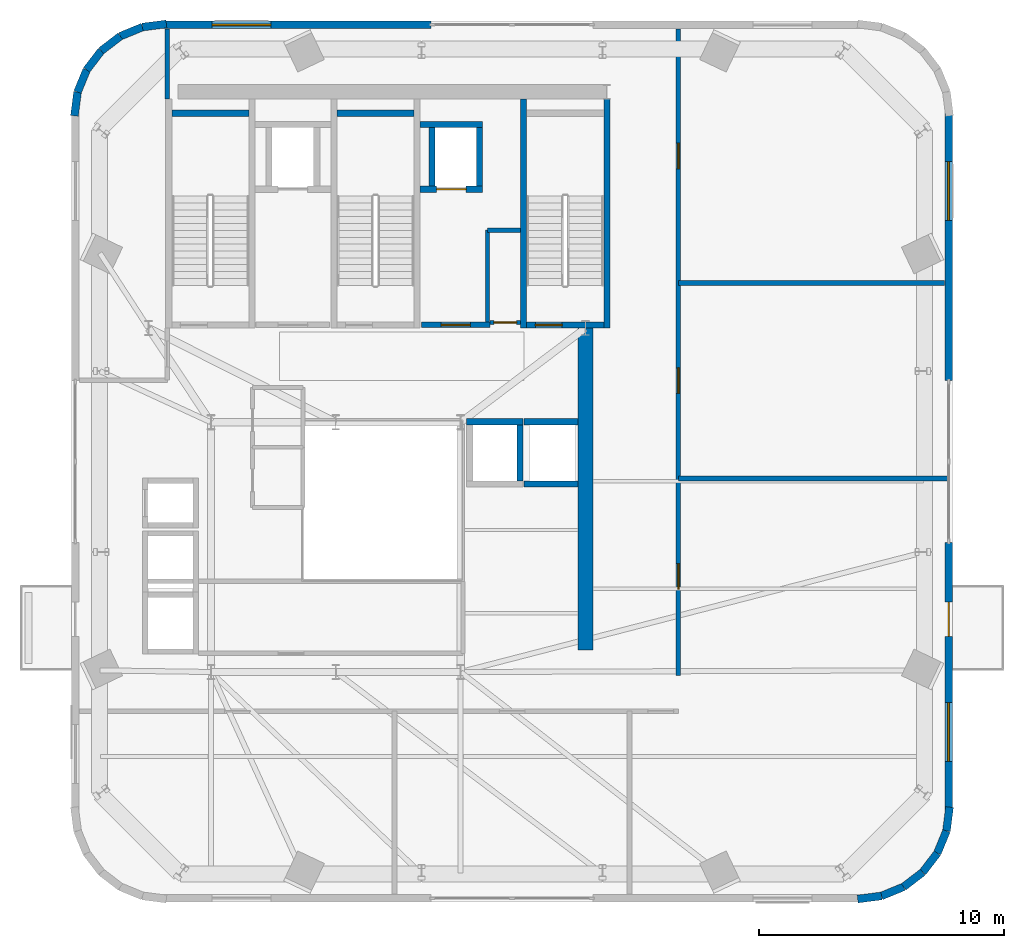
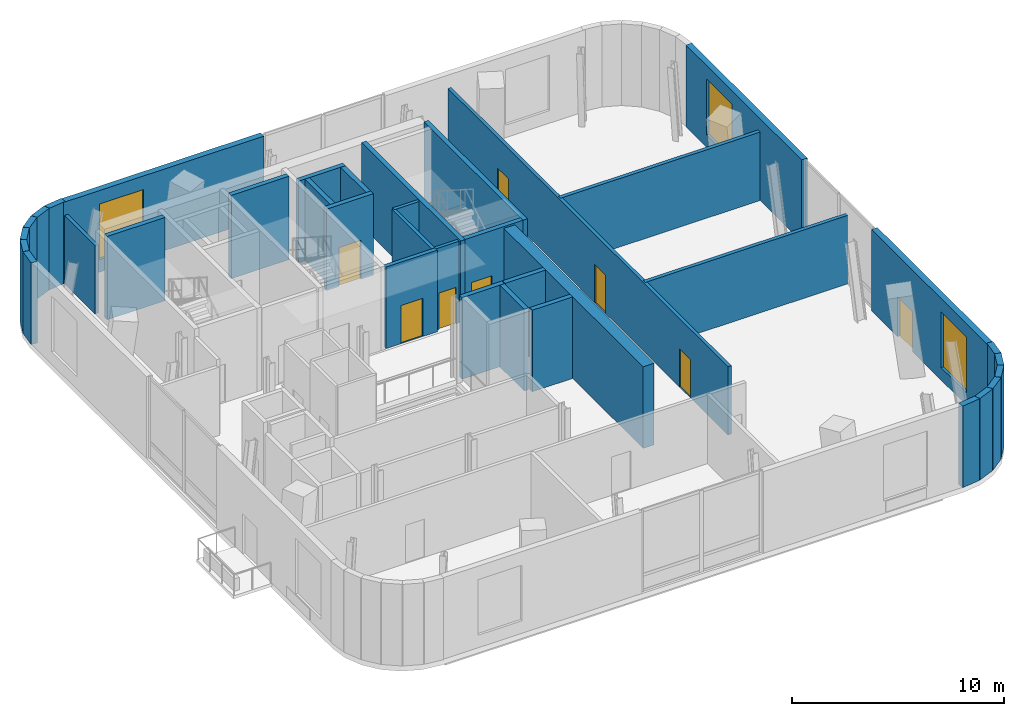
# One storey, part 7 of 11: 37 walls, 8 doors, 3 windows, 11 openings.
"""IFC4 building model written with IfcOpenShell, lengths in metres."""

from ifc_helpers import new_model, si_unit, direction, frame, frame_2d, origin, place, context, subcontext, project, spatial, rectangle, extrude, source, transform, mapped, material, layer, layer_set, type_object, element, fill, save


model = new_model("IFC4")

# Units and contexts
model_context = context("Model", 3, precision=1e-05, world=origin(), true_north=direction((0.0, 1.0)))
body_context = subcontext(model_context, "Body", "Model", "MODEL_VIEW")
ifc_project = project(units=[si_unit("LENGTHUNIT", "METRE"), si_unit("AREAUNIT", "SQUARE_METRE"), si_unit("VOLUMEUNIT", "CUBIC_METRE"), si_unit("PLANEANGLEUNIT", "RADIAN"), si_unit("MASSUNIT", "GRAM", prefix="KILO")], contexts=[model_context])

# Site, building, storey
site_placement = place(None, origin())
site = spatial("IfcSite", under=ifc_project, at=site_placement, CompositionType="ELEMENT")
building_placement = place(site_placement, origin())
building = spatial("IfcBuilding", under=site, at=building_placement, Name="Vardaveli Station Tower", CompositionType="ELEMENT")
storey_placement = place(building_placement, frame((0.0, 0.0, 296.14990234375)))
storey = spatial("IfcBuildingStorey", under=building, at=storey_placement, Name="L75", CompositionType="ELEMENT", Elevation=296.14990234375)

# Wall
ifc_material_1 = material(Name="Concrete C50/60", Category="concrete")
ifc_layer_1 = layer(ifc_material_1, 0.60009765625, Name="Concrete C50/60")
ifc_layer_set_1 = layer_set([ifc_layer_1], Name="Concrete C50/60")
wall_type_1 = type_object("IfcWallType", Name="WAL-CORE-600", PredefinedType="SHEAR", material=ifc_layer_set_1)
shared_shape_1 = source(origin(), body_context, "Body", "SweptSolid", [
    extrude(rectangle(XDim=13.14990234375, YDim=0.60009765625, at=frame_2d((6.574951171875, 0.0))), origin(), (0.0, 0.0, 1.0), 4.7001953125),
])
wall_1_placement = place(storey_placement, frame((46.5, 17.5, 0.0), z_axis=(0.0, 0.0, 1.0), x_axis=(0.0, 1.0, 0.0)))
element("IfcWall", 1, at=wall_1_placement, inside=storey, type_object=wall_type_1, Name="SW-L75-EAST2", PredefinedType="SHEAR", context=body_context, shape_type="MappedRepresentation", body=[
    mapped(shared_shape_1, transform((0.0, 0.0, 0.0), scale=1.0)),
])

# Wall, opening, window
ifc_material_2 = material(Name="Precast concrete C45/55", Category="concrete")
ifc_layer_2 = layer(ifc_material_2, 0.320068359375, Name="Precast concrete C45/55")
ifc_layer_set_2 = layer_set([ifc_layer_2], Name="Precast concrete C45/55")
wall_type_2 = type_object("IfcWallType", Name="WAL-EXT-STONE-320", PredefinedType="SOLIDWALL", material=ifc_layer_set_2)
shared_shape_2 = source(origin(), body_context, "Body", "SweptSolid", [
    extrude(rectangle(XDim=10.919921875, YDim=0.320068359375, at=frame_2d((5.4599609375, 0.0))), origin(), (0.0, 0.0, 1.0), 4.7001953125),
])
wall_2_placement = place(storey_placement, frame((40.199951171875, 43.0400390625, 0.0), z_axis=(0.0, 0.0, 1.0), x_axis=(-1.0, 0.0, 0.0)))
wall_2 = element("IfcWall", 2, at=wall_2_placement, inside=storey, type_object=wall_type_2, Name="EW-L75-N2", PredefinedType="SOLIDWALL", context=body_context, shape_type="MappedRepresentation", body=[
    mapped(shared_shape_2, transform((0.0, 0.0, 0.0), scale=1.0)),
])
shared_shape_3 = source(origin(), body_context, "Body", "SweptSolid", [
    extrude(rectangle(XDim=2.39990234375, YDim=3.199951171875, at=frame_2d((1.199951171875, 1.60009765625))), frame((0.0, 0.169921875, 0.0), z_axis=(0.0, -1.0, 0.0), x_axis=(1.0, 0.0, 0.0)), (0.0, 0.0, 1.0), 0.340087890625),
])
opening_1_placement = place(wall_2_placement, frame((6.551025390625, 0.0, 0.719970703125)))
opening_1 = element("IfcOpeningElement", 3, at=opening_1_placement, cuts=wall_2, Name="Opening W-06", PredefinedType="OPENING", context=body_context, shape_type="MappedRepresentation", body=[
    mapped(shared_shape_3, transform((0.0, 0.0, 0.0), scale=1.0)),
])
ifc_material_3 = material(Name="Low-iron tempered belvedere glass", Category="glass")
window_type = type_object("IfcWindowType", Name="WIN-OBS-2400x3200", PartitioningType="SINGLE_PANEL", PredefinedType="WINDOW", material=ifc_material_3)
shared_shape_4 = source(origin(), body_context, "Body", "SweptSolid", [
    extrude(rectangle(XDim=2.39990234375, YDim=3.199951171875, at=frame_2d((1.199951171875, 1.60009765625))), frame((0.0, 0.030029296875, 0.0), z_axis=(0.0, -1.0, 0.0), x_axis=(1.0, 0.0, 0.0)), (0.0, 0.0, 1.0), 0.06005859375),
])
window_1_placement = place(opening_1_placement, origin())
window_1 = element("IfcWindow", 4, at=window_1_placement, inside=storey, type_object=window_type, Name="WN-L75-N2", OverallHeight=3.199951171875, OverallWidth=2.39990234375, PartitioningType="SINGLE_PANEL", PredefinedType="WINDOW", context=body_context, shape_type="MappedRepresentation", body=[
    mapped(shared_shape_4, transform((0.0, 0.0, 0.0), scale=1.0)),
])
fill(opening_1, window_1)

# Wall, openings, door, window
wall_3_placement = place(storey_placement, frame((61.340087890625, 10.97998046875, 0.0), z_axis=(0.0, 0.0, 1.0), x_axis=(0.0, 1.0, 0.0)))
wall_3 = element("IfcWall", 5, at=wall_3_placement, inside=storey, type_object=wall_type_2, Name="EW-L75-E1", PredefinedType="SOLIDWALL", context=body_context, shape_type="MappedRepresentation", body=[
    mapped(shared_shape_2, transform((0.0, 0.0, 0.0), scale=1.0)),
])
shared_shape_5 = source(origin(), body_context, "Body", "SweptSolid", [
    extrude(rectangle(XDim=1.39990234375, YDim=2.300048828125, at=frame_2d((0.699951171875, 1.14990234375))), frame((0.0, 0.169921875, 0.0), z_axis=(0.0, -1.0, 0.0), x_axis=(1.0, 0.0, 0.0)), (0.0, 0.0, 1.0), 0.340087890625),
])
opening_2_placement = place(wall_3_placement, frame((7.077392578125, 0.0, 0.0)))
opening_2 = element("IfcOpeningElement", 6, at=opening_2_placement, cuts=wall_3, Name="Opening D-09", PredefinedType="OPENING", context=body_context, shape_type="MappedRepresentation", body=[
    mapped(shared_shape_5, transform((0.0, 0.0, 0.0), scale=1.0)),
])
opening_3_placement = place(wall_3_placement, frame((1.968994140625, 0.0, 0.719970703125)))
opening_3 = element("IfcOpeningElement", 7, at=opening_3_placement, cuts=wall_3, Name="Opening W-06", PredefinedType="OPENING", context=body_context, shape_type="MappedRepresentation", body=[
    mapped(shared_shape_3, transform((0.0, 0.0, 0.0), scale=1.0)),
])
ifc_material_4 = material(Name="Thermally broken aluminium glass", Category="aluminium")
door_type_1 = type_object("IfcDoorType", Name="DR-LOG-1400x2300", OperationType="DOUBLE_DOOR_SLIDING", PredefinedType="DOOR", material=ifc_material_4)
shared_shape_6 = source(origin(), body_context, "Body", "SweptSolid", [
    extrude(rectangle(XDim=1.39990234375, YDim=2.300048828125, at=frame_2d((0.699951171875, 1.14990234375))), frame((0.0, 0.02490234375, 0.0), z_axis=(0.0, -1.0, 0.0), x_axis=(1.0, 0.0, 0.0)), (0.0, 0.0, 1.0), 0.050048828125),
])
door_1_placement = place(opening_2_placement, frame((1.39990234375, 0.0, 0.0), z_axis=(0.0, 0.0, 1.0), x_axis=(-1.0, 0.0, 0.0)))
door_1 = element("IfcDoor", 8, at=door_1_placement, inside=storey, type_object=door_type_1, Name="DLG-L75-E", OperationType="DOUBLE_DOOR_SLIDING", OverallHeight=2.300048828125, OverallWidth=1.39990234375, PredefinedType="DOOR", context=body_context, shape_type="MappedRepresentation", body=[
    mapped(shared_shape_6, transform((0.0, 0.0, 0.0), scale=1.0)),
])
fill(opening_2, door_1)
window_2_placement = place(opening_3_placement, origin())
window_2 = element("IfcWindow", 9, at=window_2_placement, inside=storey, type_object=window_type, Name="WN-L75-E1", OverallHeight=3.199951171875, OverallWidth=2.39990234375, PartitioningType="SINGLE_PANEL", PredefinedType="WINDOW", context=body_context, shape_type="MappedRepresentation", body=[
    mapped(shared_shape_4, transform((0.0, 0.0, 0.0), scale=1.0)),
])
fill(opening_3, window_2)

# Wall, opening, window
wall_4_placement = place(storey_placement, frame((61.340087890625, 28.5, 0.0), z_axis=(0.0, 0.0, 1.0), x_axis=(0.0, 1.0, 0.0)))
wall_4 = element("IfcWall", 10, at=wall_4_placement, inside=storey, type_object=wall_type_2, Name="EW-L75-E2", PredefinedType="SOLIDWALL", context=body_context, shape_type="MappedRepresentation", body=[
    mapped(shared_shape_2, transform((0.0, 0.0, 0.0), scale=1.0)),
])
opening_4_placement = place(wall_4_placement, frame((6.551025390625, 0.0, 0.719970703125)))
opening_4 = element("IfcOpeningElement", 11, at=opening_4_placement, cuts=wall_4, Name="Opening W-06", PredefinedType="OPENING", context=body_context, shape_type="MappedRepresentation", body=[
    mapped(shared_shape_3, transform((0.0, 0.0, 0.0), scale=1.0)),
])
window_3_placement = place(opening_4_placement, origin())
window_3 = element("IfcWindow", 12, at=window_3_placement, inside=storey, type_object=window_type, Name="WN-L75-E2", OverallHeight=3.199951171875, OverallWidth=2.39990234375, PartitioningType="SINGLE_PANEL", PredefinedType="WINDOW", context=body_context, shape_type="MappedRepresentation", body=[
    mapped(shared_shape_4, transform((0.0, 0.0, 0.0), scale=1.0)),
])
fill(opening_4, window_3)

# Walls
shared_shape_7 = source(origin(), body_context, "Body", "SweptSolid", [
    extrude(rectangle(XDim=0.98193359375, YDim=0.320068359375, at=frame_2d((0.490966796875, 0.0))), origin(), (0.0, 0.0, 1.0), 4.7001953125),
])
for number, where, z_axis, x_axis, name in (
    (13, (57.620849609375, 7.325439453125, 0.0), (0.0, 0.0, 1.0), (0.991831731449, 0.127553190833, 0.0), "EW-L75-CR2-1"),
    (14, (61.249267578125, 10.105224609375, 0.0), (0.0, 0.0, 1.0), (0.127553190833, 0.991831731449, 0.0), "EW-L75-CR2-6"),
    (15, (29.379150390625, 43.074462890625, 0.0), (0.0, 0.0, 1.0), (-0.991831731449, -0.127553190833, 0.0), "EW-L75-CR4-1"),
    (16, (25.750732421875, 40.294677734375, 0.0), (0.0, 0.0, 1.0), (-0.127553190833, -0.991831731449, 0.0), "EW-L75-CR4-6"),
):
    element("IfcWall", number, at=place(storey_placement, frame(where, z_axis=z_axis, x_axis=x_axis)), inside=storey, type_object=wall_type_2, Name=name, PredefinedType="SOLIDWALL", context=body_context, shape_type="MappedRepresentation", body=[
        mapped(shared_shape_7, transform((0.0, 0.0, 0.0), scale=1.0)),
    ])
shared_shape_8 = source(origin(), body_context, "Body", "SweptSolid", [
    extrude(rectangle(XDim=0.98046875, YDim=0.320068359375, at=frame_2d((0.490234375, 0.0))), origin(), (0.0, 0.0, 1.0), 4.7001953125),
])
for number, where, z_axis, x_axis, name in (
    (17, (60.27978515625, 8.420166015625, 0.0), (0.0, 0.0, 1.0), (0.608096912543, 0.793862799831, 0.0), "EW-L75-CR2-4"),
    (18, (60.8759765625, 9.198486328125, 0.0), (0.0, 0.0, 1.0), (0.380687191599, 0.924703878089, 0.0), "EW-L75-CR2-5"),
):
    element("IfcWall", number, at=place(storey_placement, frame(where, z_axis=z_axis, x_axis=x_axis)), inside=storey, type_object=wall_type_2, Name=name, PredefinedType="SOLIDWALL", context=body_context, shape_type="MappedRepresentation", body=[
        mapped(shared_shape_8, transform((0.0, 0.0, 0.0), scale=1.0)),
    ])
shared_shape_9 = source(origin(), body_context, "Body", "SweptSolid", [
    extrude(rectangle(XDim=0.97998046875, YDim=0.320068359375, at=frame_2d((0.489990234375, 0.0))), origin(), (0.0, 0.0, 1.0), 4.7001953125),
])
wall_5_placement = place(storey_placement, frame((59.501708984375, 7.82421875, 0.0), z_axis=(0.0, 0.0, 1.0), x_axis=(0.793890938557, 0.608060176033, 0.0)))
element("IfcWall", 19, at=wall_5_placement, inside=storey, type_object=wall_type_2, Name="EW-L75-CR2-3", PredefinedType="SOLIDWALL", context=body_context, shape_type="MappedRepresentation", body=[
    mapped(shared_shape_9, transform((0.0, 0.0, 0.0), scale=1.0)),
])
shared_shape_10 = source(origin(), body_context, "Body", "SweptSolid", [
    extrude(rectangle(XDim=0.98095703125, YDim=0.320068359375, at=frame_2d((0.490478515625, 0.0))), origin(), (0.0, 0.0, 1.0), 4.7001953125),
])
wall_6_placement = place(storey_placement, frame((58.5947265625, 7.45068359375, 0.0), z_axis=(0.0, 0.0, 1.0), x_axis=(0.924652322999, 0.380812396821, 0.0)))
element("IfcWall", 20, at=wall_6_placement, inside=storey, type_object=wall_type_2, Name="EW-L75-CR2-2", PredefinedType="SOLIDWALL", context=body_context, shape_type="MappedRepresentation", body=[
    mapped(shared_shape_10, transform((0.0, 0.0, 0.0), scale=1.0)),
])
shared_shape_11 = source(origin(), body_context, "Body", "SweptSolid", [
    extrude(rectangle(XDim=0.980712890625, YDim=0.320068359375, at=frame_2d((0.490234375, 0.0))), origin(), (0.0, 0.0, 1.0), 4.7001953125),
])
for number, where, z_axis, x_axis, name in (
    (21, (28.4052734375, 42.94921875, 0.0), (0.0, 0.0, 1.0), (-0.924739948189, -0.38059956414, 0.0), "EW-L75-CR4-2"),
    (22, (26.1240234375, 41.20166015625, 0.0), (0.0, 0.0, 1.0), (-0.38059956414, -0.924739948189, 0.0), "EW-L75-CR4-5"),
):
    element("IfcWall", number, at=place(storey_placement, frame(where, z_axis=z_axis, x_axis=x_axis)), inside=storey, type_object=wall_type_2, Name=name, PredefinedType="SOLIDWALL", context=body_context, shape_type="MappedRepresentation", body=[
        mapped(shared_shape_11, transform((0.0, 0.0, 0.0), scale=1.0)),
    ])
shared_shape_12 = source(origin(), body_context, "Body", "SweptSolid", [
    extrude(rectangle(XDim=0.980224609375, YDim=0.320068359375, at=frame_2d((0.490234375, 0.0))), origin(), (0.0, 0.0, 1.0), 4.7001953125),
])
for number, where, z_axis, x_axis, name in (
    (23, (27.498291015625, 42.575927734375, 0.0), (0.0, 0.0, 1.0), (-0.793770690946, -0.608217140662, 0.0), "EW-L75-CR4-3"),
    (24, (26.72021484375, 41.979736328125, 0.0), (0.0, 0.0, 1.0), (-0.608217140662, -0.793770690946, 0.0), "EW-L75-CR4-4"),
):
    element("IfcWall", number, at=place(storey_placement, frame(where, z_axis=z_axis, x_axis=x_axis)), inside=storey, type_object=wall_type_2, Name=name, PredefinedType="SOLIDWALL", context=body_context, shape_type="MappedRepresentation", body=[
        mapped(shared_shape_12, transform((0.0, 0.0, 0.0), scale=1.0)),
    ])
ifc_material_5 = material(Name="Concrete C40/50", Category="concrete")
ifc_layer_3 = layer(ifc_material_5, 0.25, Name="Concrete C40/50")
ifc_layer_set_3 = layer_set([ifc_layer_3], Name="Concrete C40/50")
wall_type_3 = type_object("IfcWallType", Name="WAL-SHAFT-250", PredefinedType="SOLIDWALL", material=ifc_layer_set_3)
shared_shape_13 = source(origin(), body_context, "Body", "SweptSolid", [
    extrude(rectangle(XDim=3.14990234375, YDim=0.25, at=frame_2d((1.574951171875, 0.0))), origin(), (0.0, 0.0, 1.0), 4.800048828125),
])
for number, where, z_axis, x_axis, name in (
    (25, (29.60009765625, 39.425048828125, 0.0), (0.0, 0.0, 1.0), (1.0, 0.0, 0.0), "W-L75-ST-1N"),
    (26, (36.35009765625, 39.425048828125, 0.0), (0.0, 0.0, 1.0), (1.0, 0.0, 0.0), "W-L75-ST-2N"),
):
    element("IfcWall", number, at=place(storey_placement, frame(where, z_axis=z_axis, x_axis=x_axis)), inside=storey, type_object=wall_type_3, Name=name, PredefinedType="SOLIDWALL", context=body_context, shape_type="MappedRepresentation", body=[
        mapped(shared_shape_13, transform((0.0, 0.0, 0.0), scale=1.0)),
    ])

# Wall, opening, door
wall_7_placement = place(storey_placement, frame((44.10009765625, 30.77490234375, 0.0), z_axis=(0.0, 0.0, 1.0), x_axis=(1.0, 0.0, 0.0)))
wall_7 = element("IfcWall", 27, at=wall_7_placement, inside=storey, type_object=wall_type_3, Name="W-L75-ST-3S", PredefinedType="SOLIDWALL", context=body_context, shape_type="MappedRepresentation", body=[
    mapped(shared_shape_13, transform((0.0, 0.0, 0.0), scale=1.0)),
])
shared_shape_14 = source(origin(), body_context, "Body", "SweptSolid", [
    extrude(rectangle(XDim=1.10009765625, YDim=2.199951171875, at=frame_2d((0.550048828125, 1.10009765625))), frame((0.0, 0.135009765625, 0.0), z_axis=(0.0, -1.0, 0.0), x_axis=(1.0, 0.0, 0.0)), (0.0, 0.0, 1.0), 0.27001953125),
])
opening_5_placement = place(wall_7_placement, frame((0.35009765625, 0.0, 0.0)))
opening_5 = element("IfcOpeningElement", 28, at=opening_5_placement, cuts=wall_7, Name="Opening D-04", PredefinedType="OPENING", context=body_context, shape_type="MappedRepresentation", body=[
    mapped(shared_shape_14, transform((0.0, 0.0, 0.0), scale=1.0)),
])
ifc_material_6 = material(Name="Steel smokeproof fire doorset", Category="steel")
door_type_2 = type_object("IfcDoorType", Name="DR-ST-1100x2200", OperationType="NOTDEFINED", PredefinedType="DOOR", material=ifc_material_6)
shared_shape_15 = source(origin(), body_context, "Body", "SweptSolid", [
    extrude(rectangle(XDim=1.10009765625, YDim=2.199951171875, at=frame_2d((0.550048828125, 1.10009765625))), frame((0.0, 0.02490234375, 0.0), z_axis=(0.0, -1.0, 0.0), x_axis=(1.0, 0.0, 0.0)), (0.0, 0.0, 1.0), 0.050048828125),
])
door_2_placement = place(opening_5_placement, origin())
door_2 = element("IfcDoor", 29, at=door_2_placement, inside=storey, type_object=door_type_2, Name="DST-3-L75", OperationType="SINGLE_SWING_LEFT", OverallHeight=2.199951171875, OverallWidth=1.10009765625, PredefinedType="DOOR", context=body_context, shape_type="MappedRepresentation", body=[
    mapped(shared_shape_15, transform((0.0, 0.0, 0.0), scale=1.0)),
])
fill(opening_5, door_2)

# Walls
shared_shape_16 = source(origin(), body_context, "Body", "SweptSolid", [
    extrude(rectangle(XDim=9.35009765625, YDim=0.25, at=frame_2d((4.675048828125, 0.0))), origin(), (0.0, 0.0, 1.0), 4.800048828125),
])
for number, where, z_axis, x_axis, name in (
    (30, (43.97509765625, 30.64990234375, 0.0), (0.0, 0.0, 1.0), (0.0, 1.0, 0.0), "W-L75-ST-3W"),
    (31, (47.375, 30.64990234375, 0.0), (0.0, 0.0, 1.0), (0.0, 1.0, 0.0), "W-L75-ST-3E"),
):
    element("IfcWall", number, at=place(storey_placement, frame(where, z_axis=z_axis, x_axis=x_axis)), inside=storey, type_object=wall_type_3, Name=name, PredefinedType="SOLIDWALL", context=body_context, shape_type="MappedRepresentation", body=[
        mapped(shared_shape_16, transform((0.0, 0.0, 0.0), scale=1.0)),
    ])

# Wall, opening, door
ifc_layer_4 = layer(ifc_material_5, 0.219970703125, Name="Concrete C40/50")
ifc_layer_set_4 = layer_set([ifc_layer_4], Name="Concrete C40/50")
wall_type_4 = type_object("IfcWallType", Name="WAL-FFLOBBY-220", PredefinedType="SOLIDWALL", material=ifc_layer_set_4)
shared_shape_17 = source(origin(), body_context, "Body", "SweptSolid", [
    extrude(rectangle(XDim=2.800048828125, YDim=0.219970703125, at=frame_2d((1.39990234375, 0.0))), origin(), (0.0, 0.0, 1.0), 4.7001953125),
])
wall_8_placement = place(storey_placement, frame((39.800048828125, 30.780029296875, 0.0), z_axis=(0.0, 0.0, 1.0), x_axis=(1.0, 0.0, 0.0)))
wall_8 = element("IfcWall", 32, at=wall_8_placement, inside=storey, type_object=wall_type_4, Name="W-L75-FFL2S", PredefinedType="SOLIDWALL", context=body_context, shape_type="MappedRepresentation", body=[
    mapped(shared_shape_17, transform((0.0, 0.0, 0.0), scale=1.0)),
])
shared_shape_18 = source(origin(), body_context, "Body", "SweptSolid", [
    extrude(rectangle(XDim=1.199951171875, YDim=2.199951171875, at=frame_2d((0.60009765625, 1.10009765625))), frame((0.0, 0.1201171875, 0.0), z_axis=(0.0, -1.0, 0.0), x_axis=(1.0, 0.0, 0.0)), (0.0, 0.0, 1.0), 0.239990234375),
])
opening_6_placement = place(wall_8_placement, frame((0.800048828125, 0.0, 0.0)))
opening_6 = element("IfcOpeningElement", 33, at=opening_6_placement, cuts=wall_8, Name="Opening D-03", PredefinedType="OPENING", context=body_context, shape_type="MappedRepresentation", body=[
    mapped(shared_shape_18, transform((0.0, 0.0, 0.0), scale=1.0)),
])
door_type_3 = type_object("IfcDoorType", Name="DR-FFL-1200x2200", OperationType="NOTDEFINED", PredefinedType="DOOR", material=ifc_material_6)
shared_shape_19 = source(origin(), body_context, "Body", "SweptSolid", [
    extrude(rectangle(XDim=1.199951171875, YDim=2.199951171875, at=frame_2d((0.60009765625, 1.10009765625))), frame((0.0, 0.02490234375, 0.0), z_axis=(0.0, -1.0, 0.0), x_axis=(1.0, 0.0, 0.0)), (0.0, 0.0, 1.0), 0.050048828125),
])
door_3_placement = place(opening_6_placement, origin())
door_3 = element("IfcDoor", 34, at=door_3_placement, inside=storey, type_object=door_type_3, Name="DFFL2-L75", OperationType="SINGLE_SWING_RIGHT", OverallHeight=2.199951171875, OverallWidth=1.199951171875, PredefinedType="DOOR", context=body_context, shape_type="MappedRepresentation", body=[
    mapped(shared_shape_19, transform((0.0, 0.0, 0.0), scale=1.0)),
])
fill(opening_6, door_3)

# Walls
shared_shape_20 = source(origin(), body_context, "Body", "SweptSolid", [
    extrude(rectangle(XDim=2.400146484375, YDim=0.25, at=frame_2d((1.2001953125, 0.0))), origin(), (0.0, 0.0, 1.0), 4.7001953125),
])
for number, where, z_axis, x_axis, name in (
    (35, (40.22509765625, 36.449951171875, 0.0), (0.0, 0.0, 1.0), (0.0, 1.0, 0.0), "SHW-FFL-02-L75-W"),
    (36, (42.175048828125, 36.449951171875, 0.0), (0.0, 0.0, 1.0), (0.0, 1.0, 0.0), "SHW-FFL-02-L75-E"),
):
    element("IfcWall", number, at=place(storey_placement, frame(where, z_axis=z_axis, x_axis=x_axis)), inside=storey, type_object=wall_type_3, Name=name, PredefinedType="SOLIDWALL", context=body_context, shape_type="MappedRepresentation", body=[
        mapped(shared_shape_20, transform((0.0, 0.0, 0.0), scale=1.0)),
    ])

# Wall, opening, door
shared_shape_21 = source(origin(), body_context, "Body", "SweptSolid", [
    extrude(rectangle(XDim=2.550048828125, YDim=0.25, at=frame_2d((1.27490234375, 0.0))), origin(), (0.0, 0.0, 1.0), 4.7001953125),
])
wall_9_placement = place(storey_placement, frame((39.75, 36.324951171875, 0.0), z_axis=(0.0, 0.0, 1.0), x_axis=(1.0, 0.0, 0.0)))
wall_9 = element("IfcWall", 37, at=wall_9_placement, inside=storey, type_object=wall_type_3, Name="SHW-FFL-02-L75-S", PredefinedType="SOLIDWALL", context=body_context, shape_type="MappedRepresentation", body=[
    mapped(shared_shape_21, transform((0.0, 0.0, 0.0), scale=1.0)),
])
shared_shape_22 = source(origin(), body_context, "Body", "SweptSolid", [
    extrude(rectangle(XDim=1.199951171875, YDim=2.25, at=frame_2d((0.60009765625, 1.125))), frame((0.0, 0.135009765625, 0.0), z_axis=(0.0, -1.0, 0.0), x_axis=(1.0, 0.0, 0.0)), (0.0, 0.0, 1.0), 0.27001953125),
])
opening_7_placement = place(wall_9_placement, frame((0.675048828125, 0.0, 0.0)))
opening_7 = element("IfcOpeningElement", 38, at=opening_7_placement, cuts=wall_9, Name="Opening LD-02", PredefinedType="OPENING", context=body_context, shape_type="MappedRepresentation", body=[
    mapped(shared_shape_22, transform((0.0, 0.0, 0.0), scale=1.0)),
])
ifc_material_7 = material(Name="Brushed stainless steel", Category="steel")
door_type_4 = type_object("IfcDoorType", Name="DR-LD-1200x2250", OperationType="DOUBLE_DOOR_SLIDING", PredefinedType="DOOR", material=ifc_material_7)
shared_shape_23 = source(origin(), body_context, "Body", "SweptSolid", [
    extrude(rectangle(XDim=1.199951171875, YDim=2.25, at=frame_2d((0.60009765625, 1.125))), frame((0.0, 0.02490234375, 0.0), z_axis=(0.0, -1.0, 0.0), x_axis=(1.0, 0.0, 0.0)), (0.0, 0.0, 1.0), 0.050048828125),
])
door_4_placement = place(opening_7_placement, origin())
door_4 = element("IfcDoor", 39, at=door_4_placement, inside=storey, type_object=door_type_4, Name="LD-FFL-02-L75", OperationType="DOUBLE_DOOR_SLIDING", OverallHeight=2.25, OverallWidth=1.199951171875, PredefinedType="DOOR", context=body_context, shape_type="MappedRepresentation", body=[
    mapped(shared_shape_23, transform((0.0, 0.0, 0.0), scale=1.0)),
])
fill(opening_7, door_4)

# Walls
wall_10_placement = place(storey_placement, frame((39.75, 38.97509765625, 0.0), z_axis=(0.0, 0.0, 1.0), x_axis=(1.0, 0.0, 0.0)))
element("IfcWall", 40, at=wall_10_placement, inside=storey, type_object=wall_type_3, Name="SHW-FFL-02-L75-N", PredefinedType="SOLIDWALL", context=body_context, shape_type="MappedRepresentation", body=[
    mapped(shared_shape_21, transform((0.0, 0.0, 0.0), scale=1.0)),
])
shared_shape_24 = source(origin(), body_context, "Body", "SweptSolid", [
    extrude(rectangle(XDim=2.300048828125, YDim=0.25, at=frame_2d((1.14990234375, 0.0))), origin(), (0.0, 0.0, 1.0), 4.7001953125),
])
for number, where, z_axis, x_axis, name in (
    (41, (41.64990234375, 26.824951171875, 0.0), (0.0, 0.0, 1.0), (1.0, 0.0, 0.0), "SHW-SRV-01-L75-N"),
    (42, (43.824951171875, 24.39990234375, 0.0), (0.0, 0.0, 1.0), (0.0, 1.0, 0.0), "SHW-SRV-01-L75-E"),
):
    element("IfcWall", number, at=place(storey_placement, frame(where, z_axis=z_axis, x_axis=x_axis)), inside=storey, type_object=wall_type_3, Name=name, PredefinedType="SOLIDWALL", context=body_context, shape_type="MappedRepresentation", body=[
        mapped(shared_shape_24, transform((0.0, 0.0, 0.0), scale=1.0)),
    ])
shared_shape_25 = source(origin(), body_context, "Body", "SweptSolid", [
    extrude(rectangle(XDim=2.199951171875, YDim=0.25, at=frame_2d((1.10009765625, 0.0))), origin(), (0.0, 0.0, 1.0), 4.7001953125),
])
for number, where, z_axis, x_axis, name in (
    (43, (44.0, 24.27490234375, 0.0), (0.0, 0.0, 1.0), (1.0, 0.0, 0.0), "SHW-SRV-02-L75-S"),
    (44, (44.0, 26.824951171875, 0.0), (0.0, 0.0, 1.0), (1.0, 0.0, 0.0), "SHW-SRV-02-L75-N"),
):
    element("IfcWall", number, at=place(storey_placement, frame(where, z_axis=z_axis, x_axis=x_axis)), inside=storey, type_object=wall_type_3, Name=name, PredefinedType="SOLIDWALL", context=body_context, shape_type="MappedRepresentation", body=[
        mapped(shared_shape_25, transform((0.0, 0.0, 0.0), scale=1.0)),
    ])

# Wall, openings, doors
ifc_material_8 = material(Name="Fire-rated gypsum stud partition")
ifc_layer_5 = layer(ifc_material_8, 0.179931640625, Name="Fire-rated gypsum stud partition")
ifc_layer_set_5 = layer_set([ifc_layer_5], Name="Fire-rated gypsum stud partition")
wall_type_5 = type_object("IfcWallType", Name="WAL-CORR-180", PredefinedType="PARTITIONING", material=ifc_layer_set_5)
shared_shape_26 = source(origin(), body_context, "Body", "SweptSolid", [
    extrude(rectangle(XDim=26.427978515625, YDim=0.179931640625, at=frame_2d((13.2138671875, 0.0))), origin(), (0.0, 0.0, 1.0), 3.942138671875),
])
wall_11_placement = place(storey_placement, frame((50.300048828125, 16.449951171875, 0.0), z_axis=(0.0, 0.0, 1.0), x_axis=(0.0, 1.0, 0.0)))
wall_11 = element("IfcWall", 45, at=wall_11_placement, inside=storey, type_object=wall_type_5, Name="W-L75-EW", PredefinedType="PARTITIONING", context=body_context, shape_type="MappedRepresentation", body=[
    mapped(shared_shape_26, transform((0.0, 0.0, 0.0), scale=1.0)),
])
shared_shape_27 = source(origin(), body_context, "Body", "SweptSolid", [
    extrude(rectangle(XDim=1.050048828125, YDim=2.199951171875, at=frame_2d((0.52490234375, 1.10009765625))), frame((0.0, 0.10009765625, 0.0), z_axis=(0.0, -1.0, 0.0), x_axis=(1.0, 0.0, 0.0)), (0.0, 0.0, 1.0), 0.199951171875),
])
opening_8_placement = place(wall_11_placement, frame((3.530029296875, 0.0, 0.0)))
opening_8 = element("IfcOpeningElement", 46, at=opening_8_placement, cuts=wall_11, Name="Opening D-05", PredefinedType="OPENING", context=body_context, shape_type="MappedRepresentation", body=[
    mapped(shared_shape_27, transform((0.0, 0.0, 0.0), scale=1.0)),
])
opening_9_placement = place(wall_11_placement, frame((11.530029296875, 0.0, 0.0)))
opening_9 = element("IfcOpeningElement", 47, at=opening_9_placement, cuts=wall_11, Name="Opening D-05", PredefinedType="OPENING", context=body_context, shape_type="MappedRepresentation", body=[
    mapped(shared_shape_27, transform((0.0, 0.0, 0.0), scale=1.0)),
])
opening_10_placement = place(wall_11_placement, frame((20.705078125, 0.0, 0.0)))
opening_10 = element("IfcOpeningElement", 48, at=opening_10_placement, cuts=wall_11, Name="Opening D-05", PredefinedType="OPENING", context=body_context, shape_type="MappedRepresentation", body=[
    mapped(shared_shape_27, transform((0.0, 0.0, 0.0), scale=1.0)),
])
ifc_material_9 = material(Name="Walnut veneer acoustic fire door")
door_type_5 = type_object("IfcDoorType", Name="DR-SUITE-1050x2200", OperationType="NOTDEFINED", PredefinedType="DOOR", material=ifc_material_9)
shared_shape_28 = source(origin(), body_context, "Body", "SweptSolid", [
    extrude(rectangle(XDim=1.050048828125, YDim=2.199951171875, at=frame_2d((0.52490234375, 1.10009765625))), frame((0.0, 0.02490234375, 0.0), z_axis=(0.0, -1.0, 0.0), x_axis=(1.0, 0.0, 0.0)), (0.0, 0.0, 1.0), 0.050048828125),
])
door_5_placement = place(opening_8_placement, origin())
door_5 = element("IfcDoor", 49, at=door_5_placement, inside=storey, type_object=door_type_5, Name="D-L75-OB4", OperationType="SINGLE_SWING_RIGHT", OverallHeight=2.199951171875, OverallWidth=1.050048828125, PredefinedType="DOOR", context=body_context, shape_type="MappedRepresentation", body=[
    mapped(shared_shape_28, transform((0.0, 0.0, 0.0), scale=1.0)),
])
fill(opening_8, door_5)
door_6_placement = place(opening_9_placement, origin())
door_6 = element("IfcDoor", 50, at=door_6_placement, inside=storey, type_object=door_type_5, Name="D-L75-OB5", OperationType="SINGLE_SWING_LEFT", OverallHeight=2.199951171875, OverallWidth=1.050048828125, PredefinedType="DOOR", context=body_context, shape_type="MappedRepresentation", body=[
    mapped(shared_shape_28, transform((0.0, 0.0, 0.0), scale=1.0)),
])
fill(opening_9, door_6)
door_7_placement = place(opening_10_placement, origin())
door_7 = element("IfcDoor", 51, at=door_7_placement, inside=storey, type_object=door_type_5, Name="D-L75-OB6", OperationType="SINGLE_SWING_RIGHT", OverallHeight=2.199951171875, OverallWidth=1.050048828125, PredefinedType="DOOR", context=body_context, shape_type="MappedRepresentation", body=[
    mapped(shared_shape_28, transform((0.0, 0.0, 0.0), scale=1.0)),
])
fill(opening_10, door_7)

# Wall
shared_shape_29 = source(origin(), body_context, "Body", "SweptSolid", [
    extrude(rectangle(XDim=2.8779296875, YDim=0.179931640625, at=frame_2d((1.43896484375, 0.0))), origin(), (0.0, 0.0, 1.0), 3.942138671875),
])
wall_12_placement = place(storey_placement, frame((29.419921875, 40.0, 0.0), z_axis=(0.0, 0.0, 1.0), x_axis=(0.0, 1.0, 0.0)))
element("IfcWall", 52, at=wall_12_placement, inside=storey, type_object=wall_type_5, Name="W-L75-OBNW-E-P2", PredefinedType="PARTITIONING", context=body_context, shape_type="MappedRepresentation", body=[
    mapped(shared_shape_29, transform((0.0, 0.0, 0.0), scale=1.0)),
])

# Wall, opening, door
shared_shape_30 = source(origin(), body_context, "Body", "SweptSolid", [
    extrude(rectangle(XDim=1.247802734375, YDim=0.179931640625, at=frame_2d((0.6240234375, 0.0))), origin(), (0.0, 0.0, 1.0), 4.7001953125),
])
wall_13_placement = place(storey_placement, frame((42.60009765625, 30.8798828125, 0.0), z_axis=(0.0, 0.0, 1.0), x_axis=(1.0, 0.0, 0.0)))
wall_13 = element("IfcWall", 53, at=wall_13_placement, inside=storey, type_object=wall_type_5, Name="W-L75-CBS0-S", PredefinedType="PARTITIONING", context=body_context, shape_type="MappedRepresentation", body=[
    mapped(shared_shape_30, transform((0.0, 0.0, 0.0), scale=1.0)),
])
shared_shape_31 = source(origin(), body_context, "Body", "SweptSolid", [
    extrude(rectangle(XDim=0.919921875, YDim=2.10009765625, at=frame_2d((0.4599609375, 1.050048828125))), frame((0.0, 0.10009765625, 0.0), z_axis=(0.0, -1.0, 0.0), x_axis=(1.0, 0.0, 0.0)), (0.0, 0.0, 1.0), 0.199951171875),
])
opening_11_placement = place(wall_13_placement, frame((0.1640625, 0.0, 0.0)))
opening_11 = element("IfcOpeningElement", 54, at=opening_11_placement, cuts=wall_13, Name="Opening D-07", PredefinedType="OPENING", context=body_context, shape_type="MappedRepresentation", body=[
    mapped(shared_shape_31, transform((0.0, 0.0, 0.0), scale=1.0)),
])
ifc_material_10 = material(Name="Moisture-resistant hardwood door", Category="wood")
door_type_6 = type_object("IfcDoorType", Name="DR-WC-920x2100", OperationType="NOTDEFINED", PredefinedType="DOOR", material=ifc_material_10)
shared_shape_32 = source(origin(), body_context, "Body", "SweptSolid", [
    extrude(rectangle(XDim=0.919921875, YDim=2.10009765625, at=frame_2d((0.4599609375, 1.050048828125))), frame((0.0, 0.02490234375, 0.0), z_axis=(0.0, -1.0, 0.0), x_axis=(1.0, 0.0, 0.0)), (0.0, 0.0, 1.0), 0.050048828125),
])
door_8_placement = place(opening_11_placement, origin())
door_8 = element("IfcDoor", 55, at=door_8_placement, inside=storey, type_object=door_type_6, Name="D-L75-CBS0", OperationType="SINGLE_SWING_LEFT", OverallHeight=2.10009765625, OverallWidth=0.919921875, PredefinedType="DOOR", context=body_context, shape_type="MappedRepresentation", body=[
    mapped(shared_shape_32, transform((0.0, 0.0, 0.0), scale=1.0)),
])
fill(opening_11, door_8)

# Walls
ifc_material_11 = material(Name="Acoustic twin-stud gypsum partition")
ifc_layer_6 = layer(ifc_material_11, 0.199951171875, Name="Acoustic twin-stud gypsum partition")
ifc_layer_set_6 = layer_set([ifc_layer_6], Name="Acoustic twin-stud gypsum partition")
wall_type_6 = type_object("IfcWallType", Name="WAL-PARTY-200", PredefinedType="PARTITIONING", material=ifc_layer_set_6)
shared_shape_33 = source(origin(), body_context, "Body", "SweptSolid", [
    extrude(rectangle(XDim=11.050048828125, YDim=0.199951171875, at=frame_2d((5.52490234375, 0.0))), origin(), (0.0, 0.0, 1.0), 3.942138671875),
])
wall_14_placement = place(storey_placement, frame((50.300048828125, 24.5, 0.0), z_axis=(0.0, 0.0, 1.0), x_axis=(1.0, 0.0, 0.0)))
element("IfcWall", 56, at=wall_14_placement, inside=storey, type_object=wall_type_6, Name="W-L75-EM1", PredefinedType="PARTITIONING", context=body_context, shape_type="MappedRepresentation", body=[
    mapped(shared_shape_33, transform((0.0, 0.0, 0.0), scale=1.0)),
])
shared_shape_34 = source(origin(), body_context, "Body", "SweptSolid", [
    extrude(rectangle(XDim=10.8779296875, YDim=0.199951171875, at=frame_2d((5.43896484375, 0.0))), origin(), (0.0, 0.0, 1.0), 3.942138671875),
])
wall_15_placement = place(storey_placement, frame((50.300048828125, 32.5, 0.0), z_axis=(0.0, 0.0, 1.0), x_axis=(1.0, 0.0, 0.0)))
element("IfcWall", 57, at=wall_15_placement, inside=storey, type_object=wall_type_6, Name="W-L75-EM2", PredefinedType="PARTITIONING", context=body_context, shape_type="MappedRepresentation", body=[
    mapped(shared_shape_34, transform((0.0, 0.0, 0.0), scale=1.0)),
])
shared_shape_35 = source(origin(), body_context, "Body", "SweptSolid", [
    extrude(rectangle(XDim=3.7578125, YDim=0.179931640625, at=frame_2d((1.87890625, 0.0))), origin(), (0.0, 0.0, 1.0), 4.7001953125),
])
wall_16_placement = place(storey_placement, frame((42.5, 30.89208984375, 0.0), z_axis=(0.0, 0.0, 1.0), x_axis=(0.0, 1.0, 0.0)))
element("IfcWall", 58, at=wall_16_placement, inside=storey, type_object=wall_type_5, Name="W-L75-CBS0-W", PredefinedType="PARTITIONING", context=body_context, shape_type="MappedRepresentation", body=[
    mapped(shared_shape_35, transform((0.0, 0.0, 0.0), scale=1.0)),
])
shared_shape_36 = source(origin(), body_context, "Body", "SweptSolid", [
    extrude(rectangle(XDim=1.347900390625, YDim=0.179931640625, at=frame_2d((0.673828125, 0.0))), origin(), (0.0, 0.0, 1.0), 4.7001953125),
])
wall_17_placement = place(storey_placement, frame((42.5, 34.64990234375, 0.0), z_axis=(0.0, 0.0, 1.0), x_axis=(1.0, 0.0, 0.0)))
element("IfcWall", 59, at=wall_17_placement, inside=storey, type_object=wall_type_5, Name="W-L75-CBS0-N", PredefinedType="PARTITIONING", context=body_context, shape_type="MappedRepresentation", body=[
    mapped(shared_shape_36, transform((0.0, 0.0, 0.0), scale=1.0)),
])

save(model, "model.ifc")
